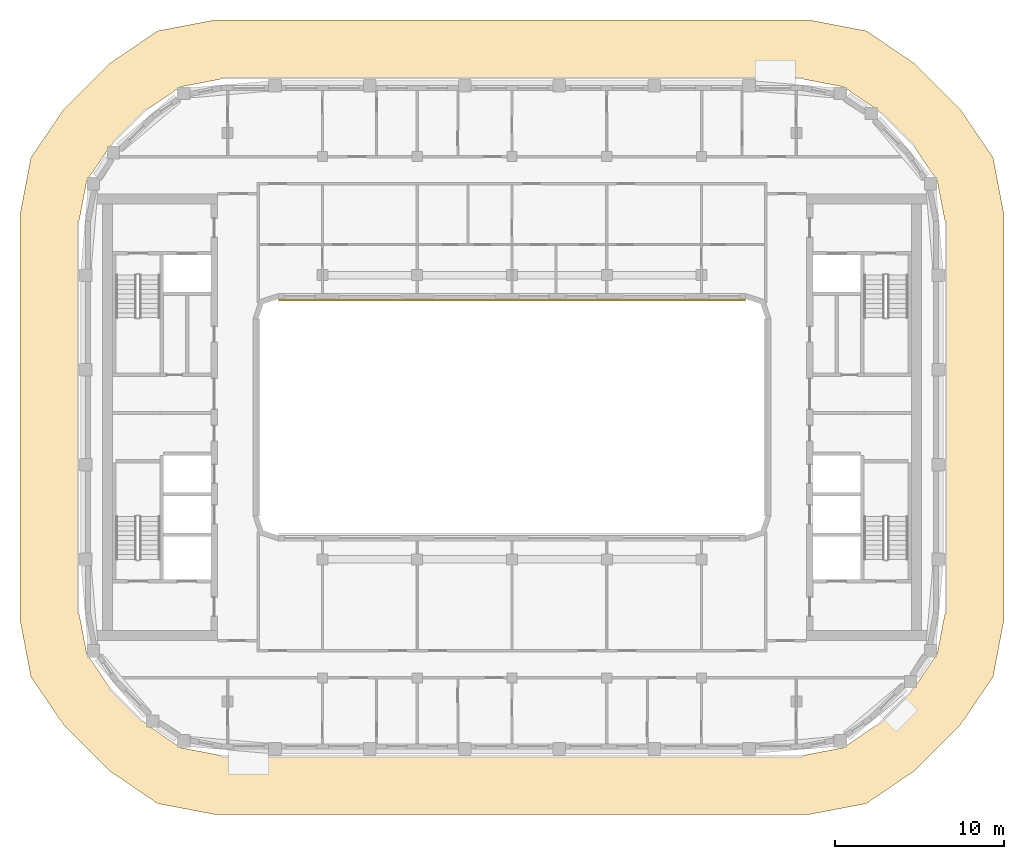
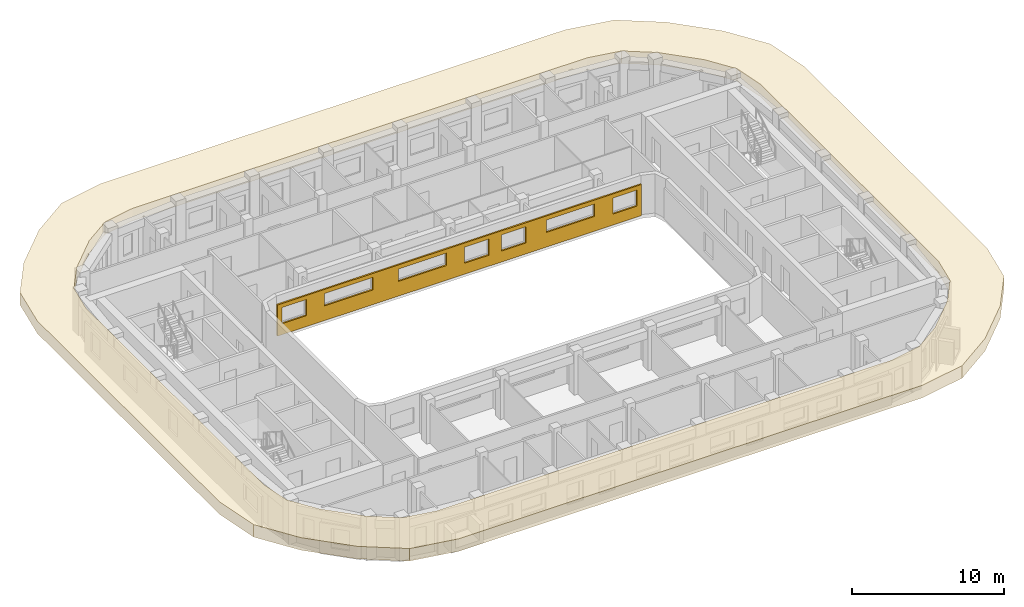
# One storey, part 12 of 14: 2 coverings.
"""IFC4 building model written with IfcOpenShell, lengths in metres."""

from ifc_helpers import new_model, si_unit, direction, frame, origin, place, context, subcontext, project, spatial, polyline, outline, extrude, material, layer, layer_set, type_object, element, save


model = new_model("IFC4")

# Units and contexts
model_context = context("Model", 3, precision=1e-05, world=origin(), true_north=direction((0.0, 1.0)))
body_context = subcontext(model_context, "Body", "Model", "MODEL_VIEW")
ifc_project = project(units=[si_unit("LENGTHUNIT", "METRE"), si_unit("AREAUNIT", "SQUARE_METRE"), si_unit("VOLUMEUNIT", "CUBIC_METRE"), si_unit("PLANEANGLEUNIT", "RADIAN"), si_unit("MASSUNIT", "GRAM", prefix="KILO")], contexts=[model_context])

# Site, building, storey
site_placement = place(None, origin())
site = spatial("IfcSite", under=ifc_project, at=site_placement, CompositionType="ELEMENT")
building_placement = place(site_placement, origin())
building = spatial("IfcBuilding", under=site, at=building_placement, Name="Kiln Ring Residences", CompositionType="ELEMENT")
storey_placement = place(building_placement, frame((0.0, 0.0, 280.199951171875)))
storey = spatial("IfcBuildingStorey", under=building, at=storey_placement, Name="L73", CompositionType="ELEMENT", Elevation=280.199951171875)

# Coverings
ifc_material_1 = material(Name="Brick masonry, dark clay brick", Category="masonry")
ifc_layer_1 = layer(ifc_material_1, 0.1201171875)
ifc_layer_set_1 = layer_set([ifc_layer_1], Name="RAINSCREEN PANEL 120")
covering_type_1 = type_object("IfcCoveringType", Name="RAINSCREEN PANEL 120", PredefinedType="CLADDING", material=ifc_layer_set_1)
covering_1_placement = place(storey_placement, frame((-13.800048828125, 6.93994140625, 0.0), z_axis=(0.0, 0.0, 1.0), x_axis=(1.0, 0.0, 0.0)))
element("IfcCovering", 1, at=covering_1_placement, inside=storey, type_object=covering_type_1, Name="RAINSCREEN L73", PredefinedType="CLADDING", context=body_context, shape_type="SweptSolid", body=[
    extrude(outline(polyline([(0.0, 0.0), (27.60009765625, 0.0), (27.60009765625, 2.5), (0.0, 2.5), (0.0, 0.0)]), holes=[polyline([(2.1826171875, 0.880126953125), (2.1826171875, 2.170166015625), (0.342529296875, 2.170166015625), (0.342529296875, 0.880126953125), (2.1826171875, 0.880126953125)]), polyline([(14.179931640625, 0.880126953125), (16.02001953125, 0.880126953125), (16.02001953125, 2.170166015625), (14.179931640625, 2.170166015625), (14.179931640625, 0.880126953125)]), polyline([(16.97998046875, 0.880126953125), (18.820068359375, 0.880126953125), (18.820068359375, 2.170166015625), (16.97998046875, 2.170166015625), (16.97998046875, 0.880126953125)]), polyline([(25.41748046875, 0.880126953125), (27.257568359375, 0.880126953125), (27.257568359375, 2.170166015625), (25.41748046875, 2.170166015625), (25.41748046875, 0.880126953125)]), polyline([(3.580078125, 1.179931640625), (7.219970703125, 1.179931640625), (7.219970703125, 2.170166015625), (3.580078125, 2.170166015625), (3.580078125, 1.179931640625)]), polyline([(9.179931640625, 1.179931640625), (12.820068359375, 1.179931640625), (12.820068359375, 2.170166015625), (9.179931640625, 2.170166015625), (9.179931640625, 1.179931640625)]), polyline([(20.3798828125, 1.179931640625), (24.02001953125, 1.179931640625), (24.02001953125, 2.170166015625), (20.3798828125, 2.170166015625), (20.3798828125, 1.179931640625)])]), frame((0.0, 0.06005859375, 0.0), z_axis=(0.0, -1.0, 0.0), x_axis=(1.0, 0.0, 0.0)), (0.0, 0.0, 1.0), 0.1201171875),
])
ifc_material_2 = material(Name="Black powder-coated steel", Category="steel")
ifc_layer_2 = layer(ifc_material_2, 1.0)
ifc_layer_set_2 = layer_set([ifc_layer_2], Name="SUNSHADE FIN 3500")
covering_type_2 = type_object("IfcCoveringType", Name="SUNSHADE FIN 3500", PredefinedType="CLADDING", material=ifc_layer_set_2)
covering_2_placement = place(storey_placement, frame((0.0, 0.0, 2.5)))
element("IfcCovering", 2, at=covering_2_placement, inside=storey, type_object=covering_type_2, Name="SUNSHADE FIN L73", PredefinedType="CLADDING", context=body_context, shape_type="SweptSolid", body=[
    extrude(outline(polyline([(-28.431640625, -15.338623046875), (-26.501953125, -18.177978515625), (-23.778076171875, -20.902099609375), (-20.938720703125, -22.831787109375), (-17.56640625, -23.47509765625), (17.56640625, -23.47509765625), (20.938720703125, -22.831787109375), (23.778076171875, -20.902099609375), (26.501953125, -18.177978515625), (28.431640625, -15.338623046875), (29.074951171875, -11.96630859375), (29.074951171875, 11.96630859375), (28.431640625, 15.338623046875), (26.501953125, 18.177978515625), (23.778076171875, 20.902099609375), (20.938720703125, 22.831787109375), (17.56640625, 23.47509765625), (-17.56640625, 23.47509765625), (-20.938720703125, 22.831787109375), (-23.778076171875, 20.902099609375), (-26.501953125, 18.177978515625), (-28.431640625, 15.338623046875), (-29.074951171875, 11.96630859375), (-29.074951171875, -11.96630859375), (-28.431640625, -15.338623046875)]), holes=[polyline([(-21.537109375, -18.193115234375), (-23.793212890625, -15.937255859375), (-25.12939453125, -13.970703125), (-25.574951171875, -11.635498046875), (-25.574951171875, 11.635498046875), (-25.12939453125, 13.970703125), (-23.793212890625, 15.937255859375), (-21.537109375, 18.193115234375), (-19.57080078125, 19.529541015625), (-17.2353515625, 19.97509765625), (17.2353515625, 19.97509765625), (19.57080078125, 19.529541015625), (21.537109375, 18.193115234375), (23.793212890625, 15.937255859375), (25.12939453125, 13.970703125), (25.574951171875, 11.635498046875), (25.574951171875, -11.635498046875), (25.12939453125, -13.970703125), (23.793212890625, -15.937255859375), (21.537109375, -18.193115234375), (19.57080078125, -19.529541015625), (17.2353515625, -19.97509765625), (-17.2353515625, -19.97509765625), (-19.57080078125, -19.529541015625), (-21.537109375, -18.193115234375)])]), origin(), (0.0, 0.0, 1.0), 1.0),
])

save(model, "model.ifc")
